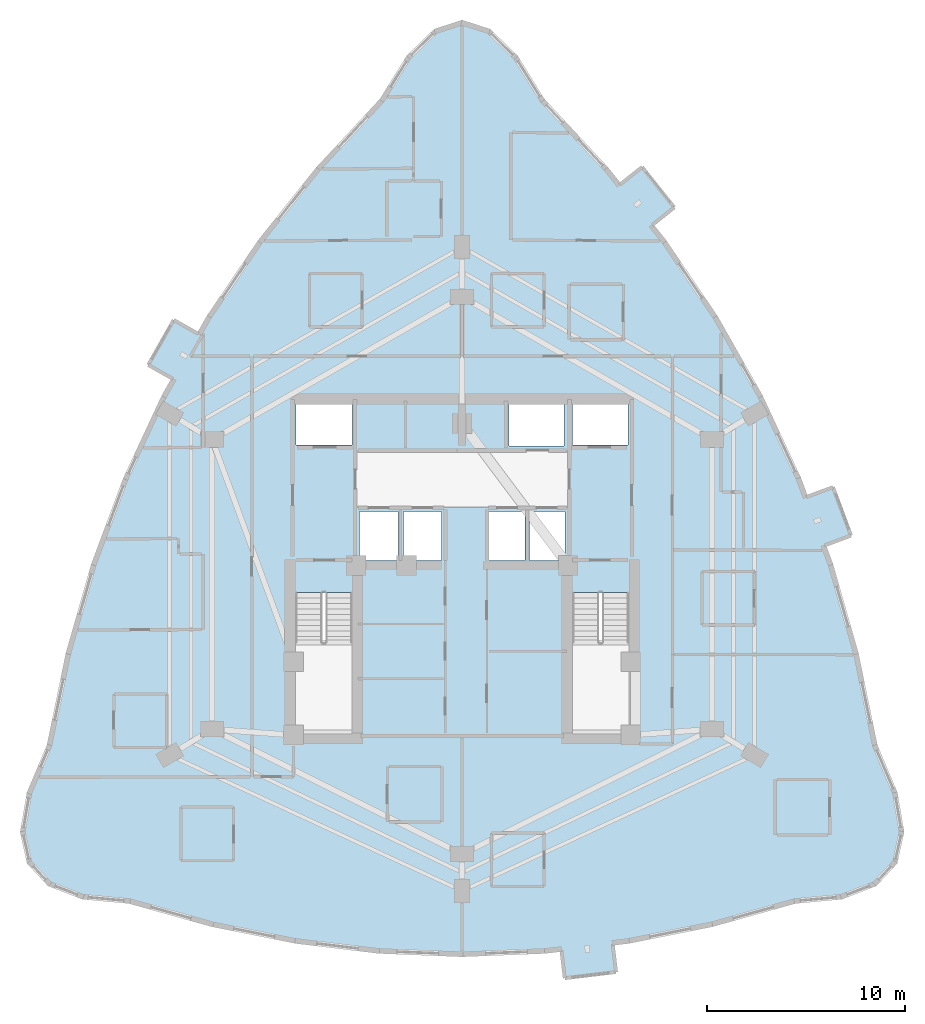
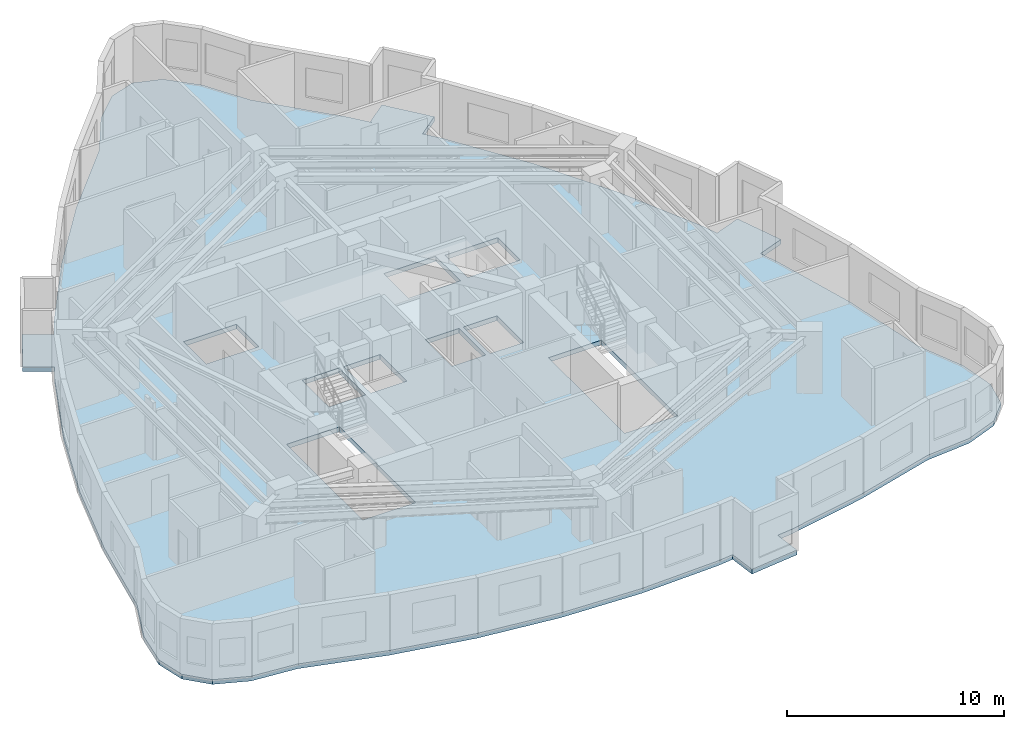
# One storey, part 3 of 12: 1 slab.
"""IFC4 building model written with IfcOpenShell, lengths in metres."""

from ifc_helpers import new_model, si_unit, direction, frame, origin, place, context, subcontext, project, spatial, polyline, outline, extrude, material, layer, layer_set, type_object, element, save


model = new_model("IFC4")

# Units and contexts
model_context = context("Model", 3, precision=1e-05, world=origin(), true_north=direction((0.0, 1.0)))
body_context = subcontext(model_context, "Body", "Model", "MODEL_VIEW")
ifc_project = project(units=[si_unit("LENGTHUNIT", "METRE"), si_unit("AREAUNIT", "SQUARE_METRE"), si_unit("VOLUMEUNIT", "CUBIC_METRE"), si_unit("PLANEANGLEUNIT", "RADIAN"), si_unit("MASSUNIT", "GRAM", prefix="KILO")], contexts=[model_context])

# Site, building, storey
site_placement = place(None, origin())
site = spatial("IfcSite", under=ifc_project, at=site_placement, CompositionType="ELEMENT")
building_placement = place(site_placement, origin())
building = spatial("IfcBuilding", under=site, at=building_placement, Name="Miruveldt Soraemaru", CompositionType="ELEMENT")
storey_placement = place(building_placement, frame((0.0, 0.0, 103.89990234375)))
storey = spatial("IfcBuildingStorey", under=building, at=storey_placement, Name="L28", CompositionType="ELEMENT", Elevation=103.89990234375)

# Slab
ifc_material = material(Name="Concrete C40/50 (40 MPa)", Category="concrete")
ifc_layer = layer(ifc_material, 0.264892578125, Name="Concrete C40/50 (40 MPa)", Category="concrete")
ifc_layer_set = layer_set([ifc_layer], Name="Concrete C40/50 (40 MPa)")
slab_type = type_object("IfcSlabType", Name="SLAB-RES2-265", PredefinedType="FLOOR", material=ifc_layer_set)
slab_placement = place(storey_placement, frame((0.0, 0.0, -0.264892578125)))
element("IfcSlab", 1, at=slab_placement, inside=storey, type_object=slab_type, Name="L28 Structural Floor Slab", PredefinedType="FLOOR", context=body_context, shape_type="SweptSolid", body=[
    extrude(outline(polyline([(49.17431640625, 23.251708984375), (48.997802734375, 24.72119140625), (48.1923828125, 24.62451171875), (44.0, 24.456787109375), (39.8076171875, 24.62451171875), (35.615234375, 25.127685546875), (31.4228515625, 25.966064453125), (27.23046875, 27.139892578125), (24.877685546875, 27.357421875), (23.197021484375, 28.00927734375), (22.188720703125, 29.095947265625), (21.8525390625, 30.617431640625), (22.188720703125, 32.573486328125), (23.197021484375, 34.96435546875), (24.154541015625, 39.61767578125), (25.4375, 44.103515625), (27.045654296875, 48.42138671875), (28.979248046875, 52.571533203125), (29.46728515625, 53.43212890625), (28.179931640625, 54.162109375), (29.462646484375, 56.423828125), (30.75, 55.693603515625), (30.108642578125, 54.56298828125), (31.238037109375, 56.55419921875), (33.822265625, 60.368896484375), (36.731689453125, 64.01611328125), (39.966552734375, 67.49560546875), (41.31103515625, 69.669189453125), (42.655517578125, 70.97314453125), (44.0, 71.407958984375), (45.344482421875, 70.97314453125), (46.68896484375, 69.669189453125), (48.033447265625, 67.49560546875), (51.268310546875, 64.01611328125), (52.722900390625, 62.192626953125), (51.912353515625, 63.208984375), (53.0693359375, 64.1318359375), (54.690673828125, 62.099365234375), (53.53369140625, 61.17626953125), (54.177734375, 60.368896484375), (56.761962890625, 56.55419921875), (59.020751953125, 52.571533203125), (60.954345703125, 48.42138671875), (61.75830078125, 46.262451171875), (61.3046875, 47.480712890625), (62.691650390625, 47.997314453125), (63.59912109375, 45.560791015625), (62.212158203125, 45.044189453125), (62.5625, 44.103515625), (63.845458984375, 39.61767578125), (64.802978515625, 34.96435546875), (65.811279296875, 32.573486328125), (66.1474609375, 30.617431640625), (65.811279296875, 29.095947265625), (64.802978515625, 28.00927734375), (63.122314453125, 27.357421875), (60.76953125, 27.139892578125), (56.5771484375, 25.966064453125), (52.384765625, 25.127685546875), (50.28857421875, 24.8759765625), (51.579345703125, 25.031005859375), (51.755615234375, 23.561279296875), (49.17431640625, 23.251708984375)]), holes=[polyline([(35.614990234375, 35.6650390625), (38.43505859375, 35.6650390625), (38.43505859375, 42.68505859375), (35.614990234375, 42.68505859375), (35.614990234375, 35.6650390625)]), polyline([(49.56494140625, 35.6650390625), (52.385009765625, 35.6650390625), (52.385009765625, 42.68505859375), (49.56494140625, 42.68505859375), (49.56494140625, 35.6650390625)]), polyline([(40.764892578125, 44.31494140625), (40.764892578125, 46.784912109375), (38.81494140625, 46.784912109375), (38.81494140625, 44.31494140625), (40.764892578125, 44.31494140625)]), polyline([(42.965087890625, 44.31494140625), (42.965087890625, 46.784912109375), (41.034912109375, 46.784912109375), (41.034912109375, 44.31494140625), (42.965087890625, 44.31494140625)]), polyline([(47.1650390625, 44.31494140625), (47.1650390625, 46.784912109375), (45.364990234375, 46.784912109375), (45.364990234375, 44.31494140625), (47.1650390625, 44.31494140625)]), polyline([(49.18505859375, 44.31494140625), (49.18505859375, 46.784912109375), (47.39501953125, 46.784912109375), (47.39501953125, 44.31494140625), (49.18505859375, 44.31494140625)]), polyline([(38.445068359375, 50.135009765625), (38.445068359375, 52.205078125), (35.635009765625, 52.205078125), (35.635009765625, 50.135009765625), (38.445068359375, 50.135009765625)]), polyline([(49.554931640625, 50.135009765625), (52.364990234375, 50.135009765625), (52.364990234375, 52.205078125), (49.554931640625, 52.205078125), (49.554931640625, 50.135009765625)]), polyline([(46.364990234375, 50.06494140625), (49.135009765625, 50.06494140625), (49.135009765625, 52.3349609375), (46.364990234375, 52.3349609375), (46.364990234375, 50.06494140625)])]), origin(), (0.0, 0.0, 1.0), 0.264892578125),
])

save(model, "model.ifc")
